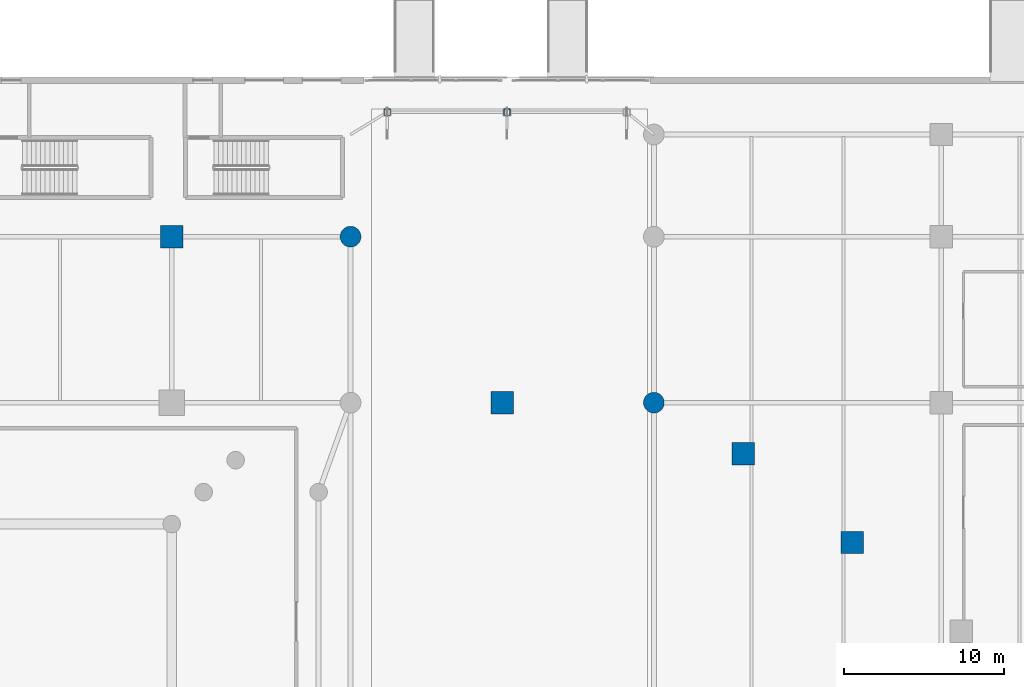
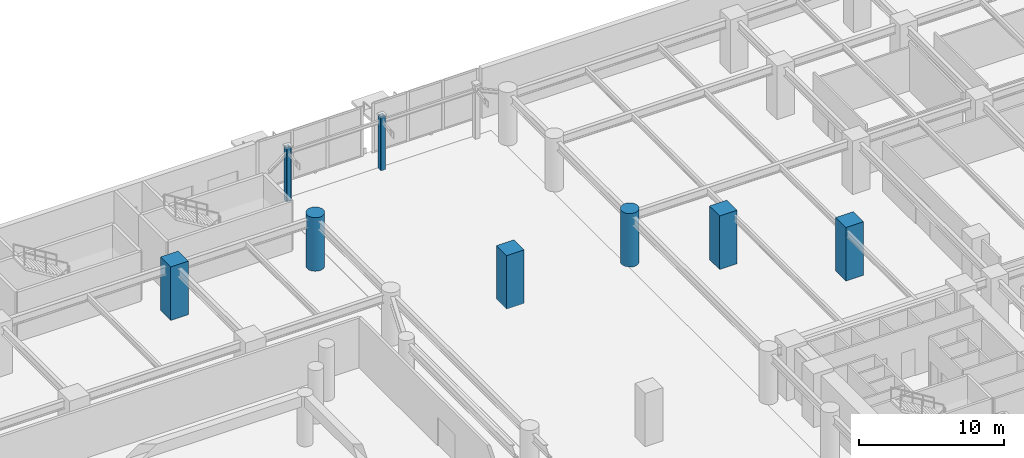
# One storey, part 8 of 42: 8 columns.
"""IFC4 building model written with IfcOpenShell, lengths in metres."""

from ifc_helpers import new_model, si_unit, direction, frame, origin, origin_2d, place, context, subcontext, project, spatial, rectangle, hollow_rectangle, circle, extrude, material, material_profile, profile_set, type_object, element, save


model = new_model("IFC4")

# Units and contexts
model_context = context("Model", 3, precision=1e-05, world=origin(), true_north=direction((0.0, 1.0)))
body_context = subcontext(model_context, "Body", "Model", "MODEL_VIEW")
ifc_project = project(units=[si_unit("LENGTHUNIT", "METRE"), si_unit("AREAUNIT", "SQUARE_METRE"), si_unit("VOLUMEUNIT", "CUBIC_METRE"), si_unit("PLANEANGLEUNIT", "RADIAN"), si_unit("MASSUNIT", "GRAM", prefix="KILO")], contexts=[model_context])

# Site, building, storey
site_placement = place(None, origin())
site = spatial("IfcSite", under=ifc_project, at=site_placement, CompositionType="ELEMENT")
building_placement = place(site_placement, origin())
building = spatial("IfcBuilding", under=site, at=building_placement, Name="Narakoshi Arena Tower", CompositionType="ELEMENT")
storey_placement = place(building_placement, origin())
storey = spatial("IfcBuildingStorey", under=building, at=storey_placement, Name="L00", CompositionType="ELEMENT", Elevation=0.0)

# Columns
ifc_material_1 = material(Name="Concrete C60/75", Category="concrete")
ifc_material_profile_1 = material_profile(ifc_material_1, circle(Radius=0.64990234375, at=origin_2d()), Name="RCC1300")
ifc_profile_set_1 = profile_set([ifc_material_profile_1], Name="Concrete C60/75")
column_type_1 = type_object("IfcColumnType", Name="COL-CIR1300", PredefinedType="PILASTER", material=ifc_profile_set_1)
for number, where, z_axis, x_axis, name in (
    (1, (51.199951171875, 86.0, 0.0), (0.0, 0.0, 1.0), (1.0, 0.0, 0.0), "L00 Podium Column PC28"),
    (2, (70.199951171875, 75.60009765625, 0.0), (0.0, 0.0, 1.0), (1.0, 0.0, 0.0), "L00 Podium Column PC39"),
):
    element("IfcColumn", number, at=place(storey_placement, frame(where, z_axis=z_axis, x_axis=x_axis)), inside=storey, type_object=column_type_1, Name=name, PredefinedType="PILASTER", context=body_context, shape_type="SweptSolid", body=[
        extrude(circle(Radius=0.64990234375, at=origin_2d()), origin(), (0.0, 0.0, 1.0), 4.5),
    ])
ifc_material_profile_2 = material_profile(ifc_material_1, rectangle(XDim=1.39990234375, YDim=1.39990234375, at=origin_2d()), Name="RC1400x1400")
ifc_profile_set_2 = profile_set([ifc_material_profile_2], Name="Concrete C60/75")
column_type_2 = type_object("IfcColumnType", Name="COL-RC1400", PredefinedType="COLUMN", material=ifc_profile_set_2)
for number, where, z_axis, x_axis, name in (
    (3, (40.0, 86.0, 0.0), (0.0, 0.0, 1.0), (1.0, 0.0, 0.0), "L00 Podium Column PC21"),
    (4, (60.699951171875, 75.60009765625, 0.0), (0.0, 0.0, 1.0), (1.0, 0.0, 0.0), "L00 Podium Column PC32"),
    (5, (82.626953125, 66.838623046875, 0.0), (0.0, 0.0, 1.0), (1.0, 0.0, 0.0), "L00 Tower Plumb Pier B1P10"),
    (6, (75.794189453125, 72.392333984375, 0.0), (0.0, 0.0, 1.0), (1.0, 0.0, 0.0), "L00 Tower Plumb Pier B1P11"),
):
    element("IfcColumn", number, at=place(storey_placement, frame(where, z_axis=z_axis, x_axis=x_axis)), inside=storey, type_object=column_type_2, Name=name, PredefinedType="COLUMN", context=body_context, shape_type="SweptSolid", body=[
        extrude(rectangle(XDim=1.39990234375, YDim=1.39990234375, at=origin_2d()), origin(), (0.0, 0.0, 1.0), 4.5),
    ])
ifc_material_2 = material(Name="Structural steel S355J2", Category="steel")
ifc_material_profile_3 = material_profile(ifc_material_2, hollow_rectangle(XDim=0.39990234375, YDim=0.39990234375, WallThickness=0.02001953125, OuterFilletRadius=0.0400390625, at=origin_2d()), Name="SHS400x400x20")
ifc_profile_set_3 = profile_set([ifc_material_profile_3], Name="Structural steel S355J2")
column_type_3 = type_object("IfcColumnType", Name="COL-SHS400", PredefinedType="COLUMN", material=ifc_profile_set_3)
for number, where, z_axis, x_axis, name in (
    (7, (53.5, 93.800048828125, 0.0), (0.0, 0.0, 1.0), (1.0, 0.0, 0.0), "L00 Concourse Canopy Column CAN04"),
    (8, (61.0, 93.800048828125, 0.0), (0.0, 0.0, 1.0), (1.0, 0.0, 0.0), "L00 Concourse Canopy Column CAN05"),
):
    element("IfcColumn", number, at=place(storey_placement, frame(where, z_axis=z_axis, x_axis=x_axis)), inside=storey, type_object=column_type_3, Name=name, PredefinedType="COLUMN", context=body_context, shape_type="SweptSolid", body=[
        extrude(hollow_rectangle(XDim=0.39990234375, YDim=0.39990234375, WallThickness=0.02001953125, OuterFilletRadius=0.0400390625, at=origin_2d()), origin(), (0.0, 0.0, 1.0), 4.5),
    ])

save(model, "model.ifc")
